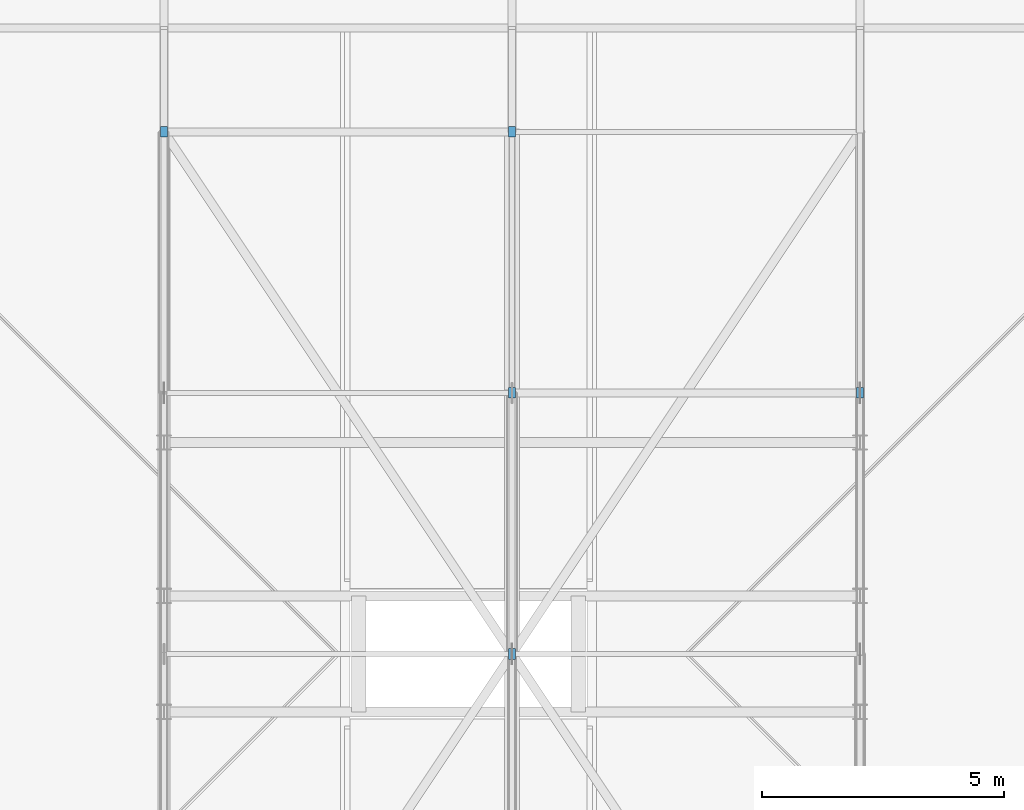
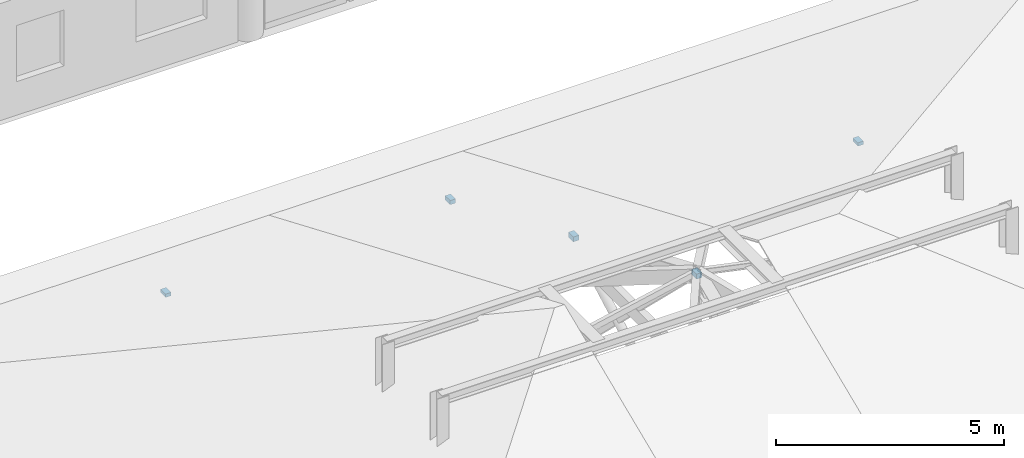
# One storey, part 53 of 110: 5 members.
"""IFC4 building model written with IfcOpenShell, lengths in metres."""

from ifc_helpers import new_model, si_unit, direction, frame, origin, origin_2d, place, context, subcontext, project, spatial, rectangle, extrude, material, material_profile, profile_set, type_object, element, save


model = new_model("IFC4")

# Units and contexts
model_context = context("Model", 3, precision=1e-05, world=origin(), true_north=direction((0.0, 1.0)))
body_context = subcontext(model_context, "Body", "Model", "MODEL_VIEW")
ifc_project = project(units=[si_unit("LENGTHUNIT", "METRE"), si_unit("AREAUNIT", "SQUARE_METRE"), si_unit("VOLUMEUNIT", "CUBIC_METRE"), si_unit("PLANEANGLEUNIT", "RADIAN"), si_unit("MASSUNIT", "GRAM", prefix="KILO")], contexts=[model_context])

# Site, building, storey
site_placement = place(None, origin())
site = spatial("IfcSite", under=ifc_project, at=site_placement, CompositionType="ELEMENT")
building_placement = place(site_placement, origin())
building = spatial("IfcBuilding", under=site, at=building_placement, Name="Steenspoor Specialist Clinic", CompositionType="ELEMENT")
storey_placement = place(building_placement, frame((0.0, 0.0, 4.800048828125)))
storey = spatial("IfcBuildingStorey", under=building, at=storey_placement, Name="L01", CompositionType="ELEMENT", Elevation=4.800048828125)

# Members
ifc_material = material(Name="Glulam GL28h", Category="wood")
ifc_material_profile = material_profile(ifc_material, rectangle(XDim=0.139892578125, YDim=0.219970703125, at=origin_2d()), Name="GL28H-140X220")
ifc_profile_set = profile_set([ifc_material_profile], Name="Glulam GL28h")
member_type = type_object("IfcMemberType", Name="MEM-RAFTER-GL220", PredefinedType="RAFTER", material=ifc_profile_set)
member_1_placement = place(storey_placement, frame((22.800048828125, 45.449951171875, 5.440185546875), z_axis=(0.0, 0.0, 1.0), x_axis=(1.0, 0.0, 0.0)))
element("IfcMember", 1, at=member_1_placement, inside=storey, type_object=member_type, Name="ROOF TRUSS Purlin Pack 183B", PredefinedType="RAFTER", context=body_context, shape_type="SweptSolid", body=[
    extrude(rectangle(XDim=0.139892578125, YDim=0.219970703125, at=origin_2d()), origin(), (0.0, 0.0, 1.0), 0.1357421875),
])
member_2_placement = place(storey_placement, frame((22.800048828125, 50.85009765625, 3.162109375), z_axis=(0.0, 0.0, 1.0), x_axis=(1.0, 0.0, 0.0)))
element("IfcMember", 2, at=member_2_placement, inside=storey, type_object=member_type, Name="ROOF TRUSS Purlin Pack 184B", PredefinedType="RAFTER", context=body_context, shape_type="SweptSolid", body=[
    extrude(rectangle(XDim=0.139892578125, YDim=0.219970703125, at=origin_2d()), origin(), (0.0, 0.0, 1.0), 0.1318359375),
])
member_3_placement = place(storey_placement, frame((15.60009765625, 56.25, 0.92529296875), z_axis=(0.0, 0.0, 1.0), x_axis=(1.0, 0.0, 0.0)))
element("IfcMember", 3, at=member_3_placement, inside=storey, type_object=member_type, Name="ROOF TRUSS Purlin Pack 185A", PredefinedType="RAFTER", context=body_context, shape_type="SweptSolid", body=[
    extrude(rectangle(XDim=0.139892578125, YDim=0.219970703125, at=origin_2d()), origin(), (0.0, 0.0, 1.0), 0.088623046875),
])
member_4_placement = place(storey_placement, frame((22.800048828125, 56.25, 0.884033203125), z_axis=(0.0, 0.0, 1.0), x_axis=(1.0, 0.0, 0.0)))
element("IfcMember", 4, at=member_4_placement, inside=storey, type_object=member_type, Name="ROOF TRUSS Purlin Pack 185B", PredefinedType="RAFTER", context=body_context, shape_type="SweptSolid", body=[
    extrude(rectangle(XDim=0.139892578125, YDim=0.219970703125, at=origin_2d()), origin(), (0.0, 0.0, 1.0), 0.111328125),
])
member_5_placement = place(storey_placement, frame((30.0, 50.85009765625, 3.203369140625), z_axis=(0.0, 0.0, 1.0), x_axis=(1.0, 0.0, 0.0)))
element("IfcMember", 5, at=member_5_placement, inside=storey, type_object=member_type, Name="ROOF TRUSS Purlin Pack 189B", PredefinedType="RAFTER", context=body_context, shape_type="SweptSolid", body=[
    extrude(rectangle(XDim=0.139892578125, YDim=0.219970703125, at=origin_2d()), origin(), (0.0, 0.0, 1.0), 0.088623046875),
])

save(model, "model.ifc")
